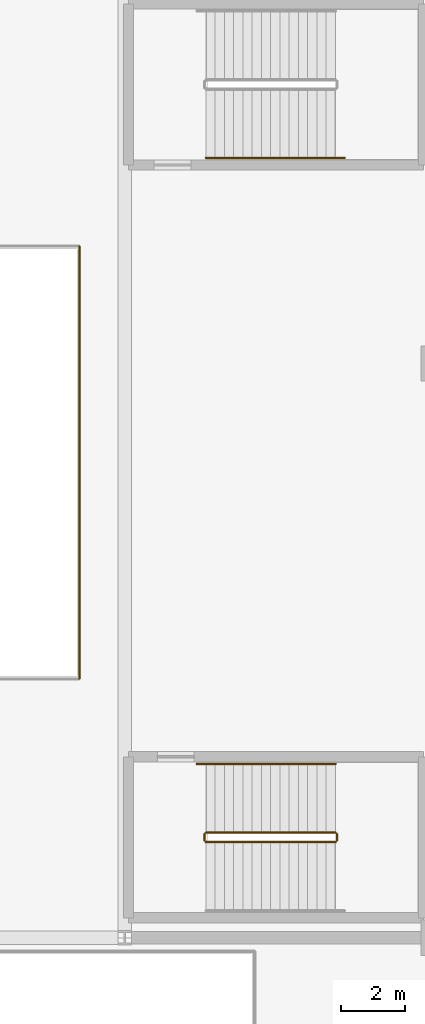
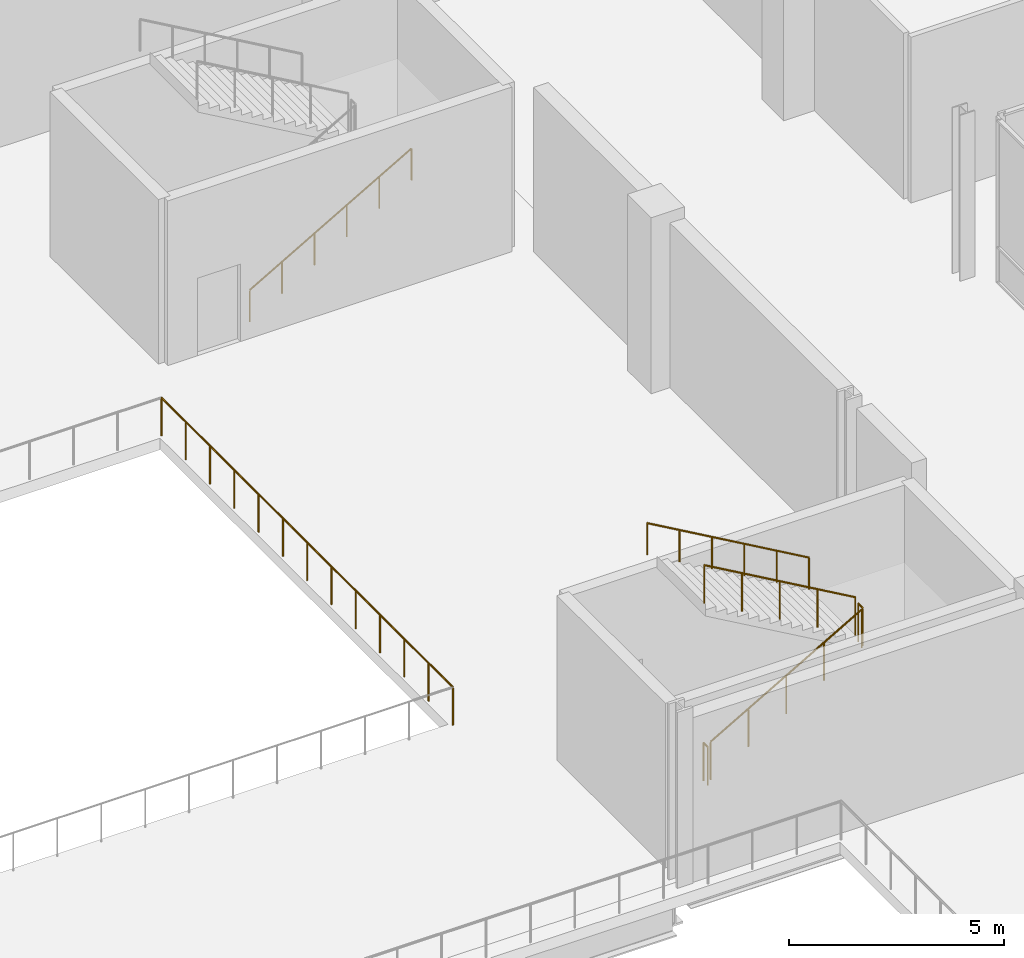
# One storey, part 69 of 73: 7 railings.
"""IFC4 building model written with IfcOpenShell, lengths in metres."""

from ifc_helpers import new_model, si_unit, direction, frame, origin, origin_2d, place, context, subcontext, project, spatial, circle, extrude, material, type_object, element, save


model = new_model("IFC4")

# Units and contexts
model_context = context("Model", 3, precision=1e-05, world=origin(), true_north=direction((0.0, 1.0)))
body_context = subcontext(model_context, "Body", "Model", "MODEL_VIEW")
ifc_project = project(units=[si_unit("LENGTHUNIT", "METRE"), si_unit("AREAUNIT", "SQUARE_METRE"), si_unit("VOLUMEUNIT", "CUBIC_METRE"), si_unit("PLANEANGLEUNIT", "RADIAN"), si_unit("MASSUNIT", "GRAM", prefix="KILO")], contexts=[model_context])

# Site, building, storey
site_placement = place(None, origin())
site = spatial("IfcSite", under=ifc_project, at=site_placement, CompositionType="ELEMENT")
building_placement = place(site_placement, origin())
building = spatial("IfcBuilding", under=site, at=building_placement, Name="Trimount Lyric Opera House", CompositionType="ELEMENT")
storey_placement = place(building_placement, frame((0.0, 0.0, 10.0)))
storey = spatial("IfcBuildingStorey", under=building, at=storey_placement, Name="L02", CompositionType="ELEMENT", Elevation=10.0)

# Railings
ifc_material_1 = material(Name="Brushed Stainless Steel 316", Category="steel")
railing_type_1 = type_object("IfcRailingType", Name="RL-GRD110", PredefinedType="GUARDRAIL", material=ifc_material_1)
railing_1_placement = place(storey_placement, frame((106.550048828125, 87.0, 0.166748046875)))
element("IfcRailing", 1, at=railing_1_placement, inside=storey, type_object=railing_type_1, Name="L02 ST-04 stair guard 1", PredefinedType="GUARDRAIL", context=body_context, shape_type="SweptSolid", body=[
    extrude(circle(Radius=0.02392578125, at=origin_2d()), frame((0.0, 0.0, 1.076171875), z_axis=(0.867024558463, 0.0, 0.498265406207), x_axis=(0.0, 1.0, 0.0)), (0.0, 0.0, 1.0), 4.682861328125),
    extrude(circle(Radius=0.02099609375, at=origin_2d()), origin(), (0.0, 0.0, 1.0), 1.052001953125),
    extrude(circle(Radius=0.02099609375, at=origin_2d()), frame((1.01513671875, 0.0, 0.583251953125)), (0.0, 0.0, 1.0), 1.052001953125),
    extrude(circle(Radius=0.02099609375, at=origin_2d()), frame((2.030029296875, 0.0, 1.16650390625)), (0.0, 0.0, 1.0), 1.052001953125),
    extrude(circle(Radius=0.02099609375, at=origin_2d()), frame((3.044921875, 0.0, 1.75)), (0.0, 0.0, 1.0), 1.052001953125),
    extrude(circle(Radius=0.02099609375, at=origin_2d()), frame((4.06005859375, 0.0, 2.333251953125)), (0.0, 0.0, 1.0), 1.052001953125),
])
railing_2_placement = place(storey_placement, frame((110.659912109375, 87.050048828125, 2.5)))
element("IfcRailing", 2, at=railing_2_placement, inside=storey, type_object=railing_type_1, Name="L02 ST-04 stair guard 2", PredefinedType="GUARDRAIL", context=body_context, shape_type="SweptSolid", body=[
    extrude(circle(Radius=0.02392578125, at=origin_2d()), frame((0.0, 0.0, 1.076171875), z_axis=(0.0, 1.0, 0.0), x_axis=(-1.0, 0.0, 0.0)), (0.0, 0.0, 1.0), 0.199951171875),
    extrude(circle(Radius=0.02099609375, at=origin_2d()), origin(), (0.0, 0.0, 1.0), 1.052001953125),
    extrude(circle(Radius=0.02099609375, at=origin_2d()), frame((0.0, 0.199951171875, 0.0)), (0.0, 0.0, 1.0), 1.052001953125),
])
railing_3_placement = place(storey_placement, frame((110.610107421875, 87.300048828125, 2.666748046875)))
element("IfcRailing", 3, at=railing_3_placement, inside=storey, type_object=railing_type_1, Name="L02 ST-04 stair guard 3", PredefinedType="GUARDRAIL", context=body_context, shape_type="SweptSolid", body=[
    extrude(circle(Radius=0.02392578125, at=origin_2d()), frame((0.0, 0.0, 1.076171875), z_axis=(-0.867024558463, 0.0, 0.498265406207), x_axis=(0.0, -1.0, 0.0)), (0.0, 0.0, 1.0), 4.682861328125),
    extrude(circle(Radius=0.02099609375, at=origin_2d()), origin(), (0.0, 0.0, 1.0), 1.052001953125),
    extrude(circle(Radius=0.02099609375, at=origin_2d()), frame((-1.01513671875, 0.0, 0.583251953125)), (0.0, 0.0, 1.0), 1.052001953125),
    extrude(circle(Radius=0.02099609375, at=origin_2d()), frame((-2.030029296875, 0.0, 1.16650390625)), (0.0, 0.0, 1.0), 1.052001953125),
    extrude(circle(Radius=0.02099609375, at=origin_2d()), frame((-3.044921875, 0.0, 1.75)), (0.0, 0.0, 1.0), 1.052001953125),
    extrude(circle(Radius=0.02099609375, at=origin_2d()), frame((-4.06005859375, 0.0, 2.333251953125)), (0.0, 0.0, 1.0), 1.052001953125),
])
railing_4_placement = place(storey_placement, frame((106.5, 87.050048828125, 0.0)))
element("IfcRailing", 4, at=railing_4_placement, inside=storey, type_object=railing_type_1, Name="L02 ST-04 stair guard 4", PredefinedType="GUARDRAIL", context=body_context, shape_type="SweptSolid", body=[
    extrude(circle(Radius=0.02392578125, at=origin_2d()), frame((0.0, 0.0, 1.076171875), z_axis=(0.0, 1.0, 0.0), x_axis=(-1.0, 0.0, 0.0)), (0.0, 0.0, 1.0), 0.199951171875),
    extrude(circle(Radius=0.02099609375, at=origin_2d()), origin(), (0.0, 0.0, 1.0), 1.052001953125),
    extrude(circle(Radius=0.02099609375, at=origin_2d()), frame((0.0, 0.199951171875, 0.0)), (0.0, 0.0, 1.0), 1.052001953125),
])
railing_5_placement = place(storey_placement, frame((102.580078125, 92.1201171875, 0.0)))
element("IfcRailing", 5, at=railing_5_placement, inside=storey, type_object=railing_type_1, Name="L02 atrium and balcony guard GRD-FLY-L02-E", PredefinedType="GUARDRAIL", context=body_context, shape_type="SweptSolid", body=[
    extrude(circle(Radius=0.02392578125, at=origin_2d()), frame((0.0, 0.0, 1.076171875), z_axis=(0.0, 1.0, 0.0), x_axis=(-1.0, 0.0, 0.0)), (0.0, 0.0, 1.0), 13.559814453125),
    extrude(circle(Radius=0.02099609375, at=origin_2d()), origin(), (0.0, 0.0, 1.0), 1.052001953125),
    extrude(circle(Radius=0.02099609375, at=origin_2d()), frame((0.0, 1.1298828125, 0.0)), (0.0, 0.0, 1.0), 1.052001953125),
    extrude(circle(Radius=0.02099609375, at=origin_2d()), frame((0.0, 2.260009765625, 0.0)), (0.0, 0.0, 1.0), 1.052001953125),
    extrude(circle(Radius=0.02099609375, at=origin_2d()), frame((0.0, 3.389892578125, 0.0)), (0.0, 0.0, 1.0), 1.052001953125),
    extrude(circle(Radius=0.02099609375, at=origin_2d()), frame((0.0, 4.52001953125, 0.0)), (0.0, 0.0, 1.0), 1.052001953125),
    extrude(circle(Radius=0.02099609375, at=origin_2d()), frame((0.0, 5.64990234375, 0.0)), (0.0, 0.0, 1.0), 1.052001953125),
    extrude(circle(Radius=0.02099609375, at=origin_2d()), frame((0.0, 6.77978515625, 0.0)), (0.0, 0.0, 1.0), 1.052001953125),
    extrude(circle(Radius=0.02099609375, at=origin_2d()), frame((0.0, 7.909912109375, 0.0)), (0.0, 0.0, 1.0), 1.052001953125),
    extrude(circle(Radius=0.02099609375, at=origin_2d()), frame((0.0, 9.039794921875, 0.0)), (0.0, 0.0, 1.0), 1.052001953125),
    extrude(circle(Radius=0.02099609375, at=origin_2d()), frame((0.0, 10.169921875, 0.0)), (0.0, 0.0, 1.0), 1.052001953125),
    extrude(circle(Radius=0.02099609375, at=origin_2d()), frame((0.0, 11.2998046875, 0.0)), (0.0, 0.0, 1.0), 1.052001953125),
    extrude(circle(Radius=0.02099609375, at=origin_2d()), frame((0.0, 12.429931640625, 0.0)), (0.0, 0.0, 1.0), 1.052001953125),
    extrude(circle(Radius=0.02099609375, at=origin_2d()), frame((0.0, 13.559814453125, 0.0)), (0.0, 0.0, 1.0), 1.052001953125),
])
ifc_material_2 = material(Name="Brushed Stainless Steel 316", Category="steel")
railing_type_2 = type_object("IfcRailingType", Name="RL-HND092", PredefinedType="HANDRAIL", material=ifc_material_2)
railing_6_placement = place(storey_placement, frame((106.550048828125, 108.449951171875, 0.166748046875)))
element("IfcRailing", 6, at=railing_6_placement, inside=storey, type_object=railing_type_2, Name="L02 ST-02 stair handrail 1", PredefinedType="HANDRAIL", context=body_context, shape_type="SweptSolid", body=[
    extrude(circle(Radius=0.0224609375, at=origin_2d()), frame((0.0, 0.0, 0.8974609375), z_axis=(0.866754379005, 0.0, 0.498735246875), x_axis=(0.0, 1.0, 0.0)), (0.0, 0.0, 1.0), 5.0185546875),
    extrude(circle(Radius=0.02099609375, at=origin_2d()), origin(), (0.0, 0.0, 1.0), 0.875),
    extrude(circle(Radius=0.02099609375, at=origin_2d()), frame((0.869873046875, 0.0, 0.50048828125)), (0.0, 0.0, 1.0), 0.875),
    extrude(circle(Radius=0.02099609375, at=origin_2d()), frame((1.739990234375, 0.0, 1.001220703125)), (0.0, 0.0, 1.0), 0.875),
    extrude(circle(Radius=0.02099609375, at=origin_2d()), frame((2.60986328125, 0.0, 1.501708984375)), (0.0, 0.0, 1.0), 0.875),
    extrude(circle(Radius=0.02099609375, at=origin_2d()), frame((3.47998046875, 0.0, 2.00244140625)), (0.0, 0.0, 1.0), 0.875),
    extrude(circle(Radius=0.02099609375, at=origin_2d()), frame((4.349853515625, 0.0, 2.5029296875)), (0.0, 0.0, 1.0), 0.875),
])
railing_7_placement = place(storey_placement, frame((110.610107421875, 89.449951171875, 2.666748046875)))
element("IfcRailing", 7, at=railing_7_placement, inside=storey, type_object=railing_type_2, Name="L02 ST-04 stair handrail 2", PredefinedType="HANDRAIL", context=body_context, shape_type="SweptSolid", body=[
    extrude(circle(Radius=0.0224609375, at=origin_2d()), frame((0.0, 0.0, 0.8974609375), z_axis=(-0.866766478692, 0.0, 0.498714218181), x_axis=(0.0, -1.0, 0.0)), (0.0, 0.0, 1.0), 5.018798828125),
    extrude(circle(Radius=0.02099609375, at=origin_2d()), origin(), (0.0, 0.0, 1.0), 0.875),
    extrude(circle(Radius=0.02099609375, at=origin_2d()), frame((-0.8701171875, 0.0, 0.50048828125)), (0.0, 0.0, 1.0), 0.875),
    extrude(circle(Radius=0.02099609375, at=origin_2d()), frame((-1.739990234375, 0.0, 1.001220703125)), (0.0, 0.0, 1.0), 0.875),
    extrude(circle(Radius=0.02099609375, at=origin_2d()), frame((-2.610107421875, 0.0, 1.501708984375)), (0.0, 0.0, 1.0), 0.875),
    extrude(circle(Radius=0.02099609375, at=origin_2d()), frame((-3.47998046875, 0.0, 2.00244140625)), (0.0, 0.0, 1.0), 0.875),
    extrude(circle(Radius=0.02099609375, at=origin_2d()), frame((-4.35009765625, 0.0, 2.5029296875)), (0.0, 0.0, 1.0), 0.875),
])

save(model, "model.ifc")
